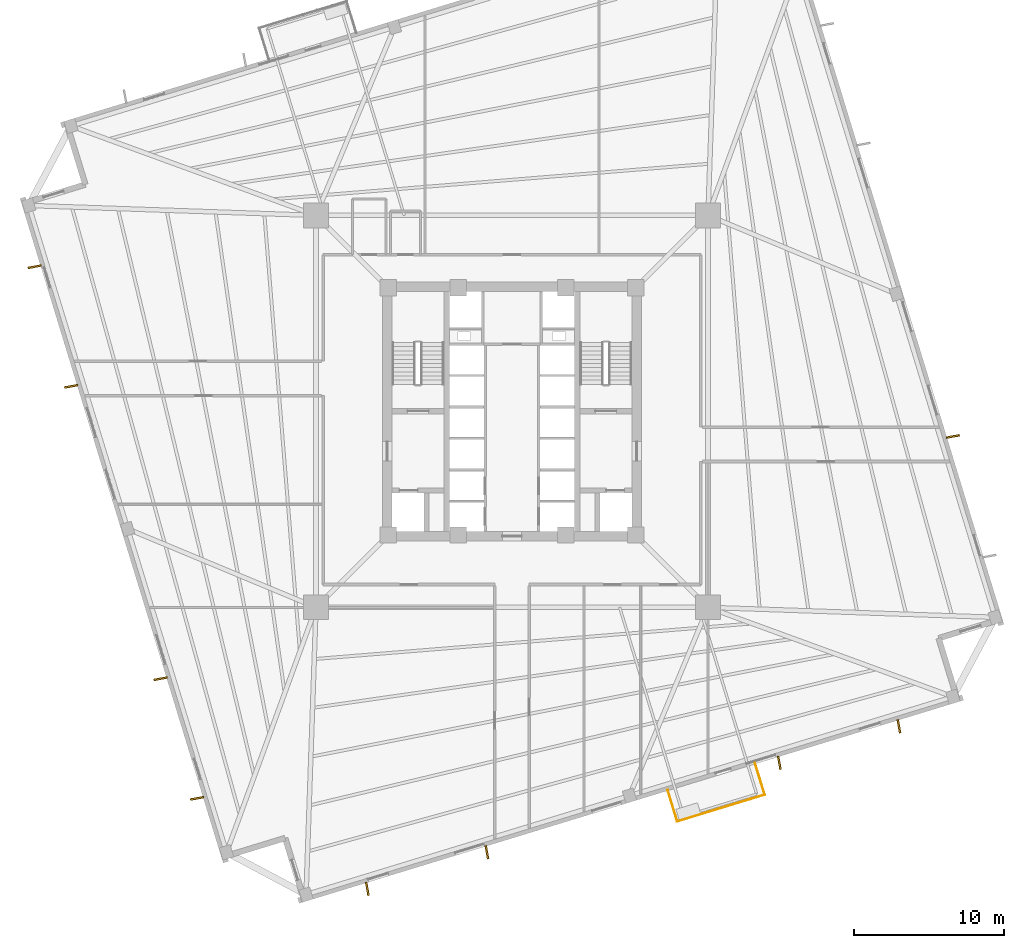
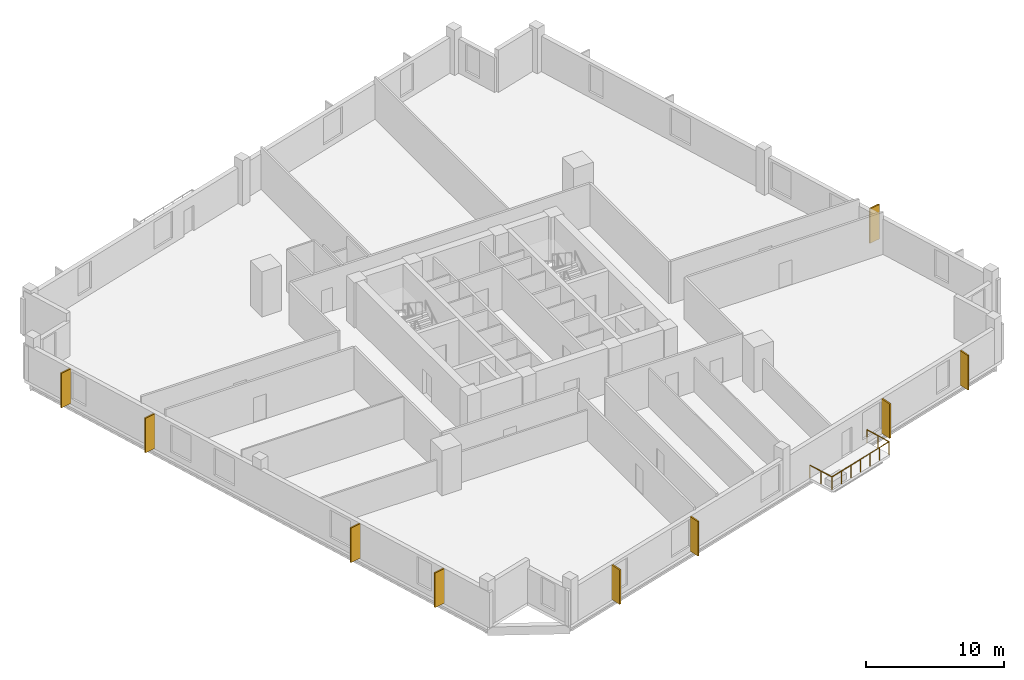
# One storey, part 6 of 8: 9 coverings, 3 railings.
"""IFC4 building model written with IfcOpenShell, lengths in metres."""

from ifc_helpers import new_model, si_unit, direction, frame, origin, origin_2d, place, context, subcontext, project, spatial, rectangle, circle, extrude, source, transform, mapped, material, layer, layer_set, type_object, element, save


model = new_model("IFC4")

# Units and contexts
model_context = context("Model", 3, precision=1e-05, world=origin(), true_north=direction((0.0, 1.0)))
body_context = subcontext(model_context, "Body", "Model", "MODEL_VIEW")
ifc_project = project(units=[si_unit("LENGTHUNIT", "METRE"), si_unit("AREAUNIT", "SQUARE_METRE"), si_unit("VOLUMEUNIT", "CUBIC_METRE"), si_unit("PLANEANGLEUNIT", "RADIAN"), si_unit("MASSUNIT", "GRAM", prefix="KILO"), si_unit("THERMODYNAMICTEMPERATUREUNIT", "KELVIN")], contexts=[model_context])

# Site, building, storey
site_placement = place(None, origin())
site = spatial("IfcSite", under=ifc_project, at=site_placement, CompositionType="ELEMENT")
building_placement = place(site_placement, origin())
building = spatial("IfcBuilding", under=site, at=building_placement, Name="Kosmvard Interchange Tower", CompositionType="ELEMENT")
storey_placement = place(building_placement, frame((0.0, 0.0, 111.199951171875)))
storey = spatial("IfcBuildingStorey", under=building, at=storey_placement, Name="L26", CompositionType="ELEMENT", Elevation=111.199951171875)

# Coverings
ifc_material_1 = material(Name="Architectural anodised aluminium", Category="aluminium")
ifc_layer = layer(ifc_material_1, 0.1201171875, Name="Architectural anodised aluminium")
ifc_layer_set = layer_set([ifc_layer], Name="Architectural anodised aluminium")
covering_type = type_object("IfcCoveringType", Name="Rotating Vertical Sun-Breaker Fin 900x120 Aluminium", PredefinedType="CLADDING", material=ifc_layer_set)
shared_shape_1 = source(origin(), body_context, "Body", "SweptSolid", [
    extrude(rectangle(XDim=0.89990234375, YDim=0.1201171875, at=origin_2d()), origin(), (0.0, 0.0, 1.0), 3.06005859375),
])
for number, where, z_axis, x_axis, name in (
    (1, (-9.6572265625, -31.865966796875, 0.0400390625), (0.0, 0.0, 1.0), (0.181549039717, -0.983381892338, 0.0), "L26 Rotating Vertical Sun-Breaker Fin 01"),
    (2, (-1.673583984375, -29.425048828125, 0.0400390625), (0.0, 0.0, 1.0), (0.181549039717, -0.983381892338, 0.0), "L26 Rotating Vertical Sun-Breaker Fin 02"),
    (3, (17.841796875, -23.45849609375, 0.0400390625), (0.0, 0.0, 1.0), (0.181549039717, -0.983381892338, 0.0), "L26 Rotating Vertical Sun-Breaker Fin 03"),
    (4, (25.825439453125, -21.017822265625, 0.0400390625), (0.0, 0.0, 1.0), (0.181549039717, -0.983381892338, 0.0), "L26 Rotating Vertical Sun-Breaker Fin 04"),
    (5, (29.425048828125, -1.673583984375, 0.0400390625), (0.0, 0.0, 1.0), (0.983381892338, 0.181549039717, 0.0), "L26 Rotating Vertical Sun-Breaker Fin 06"),
    (6, (-31.865966796875, 9.6572265625, 0.0400390625), (0.0, 0.0, 1.0), (-0.983381892338, -0.181549039717, 0.0), "L26 Rotating Vertical Sun-Breaker Fin 13"),
    (7, (-29.425048828125, 1.673583984375, 0.0400390625), (0.0, 0.0, 1.0), (-0.983381892338, -0.181549039717, 0.0), "L26 Rotating Vertical Sun-Breaker Fin 14"),
    (8, (-23.45849609375, -17.841796875, 0.0400390625), (0.0, 0.0, 1.0), (-0.983381892338, -0.181549039717, 0.0), "L26 Rotating Vertical Sun-Breaker Fin 15"),
    (9, (-21.017822265625, -25.825439453125, 0.0400390625), (0.0, 0.0, 1.0), (-0.983381892338, -0.181549039717, 0.0), "L26 Rotating Vertical Sun-Breaker Fin 16"),
):
    element("IfcCovering", number, at=place(storey_placement, frame(where, z_axis=z_axis, x_axis=x_axis)), inside=storey, type_object=covering_type, Name=name, PredefinedType="CLADDING", context=body_context, shape_type="MappedRepresentation", body=[
        mapped(shared_shape_1, transform((0.0, 0.0, 0.0), scale=1.0)),
    ])

# Railings
ifc_material_2 = material(Name="Steel S355", Category="steel")
railing_type = type_object("IfcRailingType", Name="Observation & Balcony Glass-Infill Balustrade 1150", PredefinedType="BALUSTRADE", material=ifc_material_2)
shared_shape_2 = source(origin(), body_context, "Body", "SweptSolid", [
    extrude(circle(Radius=0.02392578125, at=origin_2d()), frame((0.0, 0.0, 1.1259765625), z_axis=(0.292291835236, -0.956329170869, 0.0), x_axis=(0.956329170869, 0.292291835236, 0.0)), (0.0, 0.0, 1.0), 2.2001953125),
    extrude(circle(Radius=0.02099609375, at=origin_2d()), origin(), (0.0, 0.0, 1.0), 1.101806640625),
    extrude(circle(Radius=0.02099609375, at=origin_2d()), frame((0.321533203125, -1.052001953125, 0.0)), (0.0, 0.0, 1.0), 1.101806640625),
    extrude(circle(Radius=0.02099609375, at=origin_2d()), frame((0.64306640625, -2.10400390625, 0.0)), (0.0, 0.0, 1.0), 1.101806640625),
])
railing_1_placement = place(storey_placement, frame((10.39111328125, -25.265869140625, 0.0)))
element("IfcRailing", 10, at=railing_1_placement, inside=storey, type_object=railing_type, Name="L26 Outdoor Terrace Guard BAL-L26-SW-A", PredefinedType="BALUSTRADE", context=body_context, shape_type="MappedRepresentation", body=[
    mapped(shared_shape_2, transform((0.0, 0.0, 0.0), scale=1.0)),
])
shared_shape_3 = source(origin(), body_context, "Body", "SweptSolid", [
    extrude(circle(Radius=0.02392578125, at=origin_2d()), frame((0.0, 0.0, 1.1259765625), z_axis=(0.956306198406, 0.292366986664, 0.0), x_axis=(-0.292366986664, 0.956306198406, 0.0)), (0.0, 0.0, 1.0), 6.10009765625),
    extrude(circle(Radius=0.02099609375, at=origin_2d()), origin(), (0.0, 0.0, 1.0), 1.101806640625),
    extrude(circle(Radius=0.02099609375, at=origin_2d()), frame((0.97216796875, 0.29736328125, 0.0)), (0.0, 0.0, 1.0), 1.101806640625),
    extrude(circle(Radius=0.02099609375, at=origin_2d()), frame((1.944580078125, 0.594482421875, 0.0)), (0.0, 0.0, 1.0), 1.101806640625),
    extrude(circle(Radius=0.02099609375, at=origin_2d()), frame((2.916748046875, 0.8916015625, 0.0)), (0.0, 0.0, 1.0), 1.101806640625),
    extrude(circle(Radius=0.02099609375, at=origin_2d()), frame((3.888916015625, 1.18896484375, 0.0)), (0.0, 0.0, 1.0), 1.101806640625),
    extrude(circle(Radius=0.02099609375, at=origin_2d()), frame((4.861328125, 1.486328125, 0.0)), (0.0, 0.0, 1.0), 1.101806640625),
    extrude(circle(Radius=0.02099609375, at=origin_2d()), frame((5.83349609375, 1.783447265625, 0.0)), (0.0, 0.0, 1.0), 1.101806640625),
])
railing_2_placement = place(storey_placement, frame((11.0341796875, -27.369873046875, 0.0)))
element("IfcRailing", 11, at=railing_2_placement, inside=storey, type_object=railing_type, Name="L26 Outdoor Terrace Guard BAL-L26-SW-B", PredefinedType="BALUSTRADE", context=body_context, shape_type="MappedRepresentation", body=[
    mapped(shared_shape_3, transform((0.0, 0.0, 0.0), scale=1.0)),
])
shared_shape_4 = source(origin(), body_context, "Body", "SweptSolid", [
    extrude(circle(Radius=0.02392578125, at=origin_2d()), frame((0.0, 0.0, 1.1259765625), z_axis=(-0.292291835236, 0.956329170869, 0.0), x_axis=(-0.956329170869, -0.292291835236, 0.0)), (0.0, 0.0, 1.0), 2.2001953125),
    extrude(circle(Radius=0.02099609375, at=origin_2d()), origin(), (0.0, 0.0, 1.0), 1.101806640625),
    extrude(circle(Radius=0.02099609375, at=origin_2d()), frame((-0.321533203125, 1.052001953125, 0.0)), (0.0, 0.0, 1.0), 1.101806640625),
    extrude(circle(Radius=0.02099609375, at=origin_2d()), frame((-0.64306640625, 2.10400390625, 0.0)), (0.0, 0.0, 1.0), 1.101806640625),
])
railing_3_placement = place(storey_placement, frame((16.86767578125, -25.58642578125, 0.0)))
element("IfcRailing", 12, at=railing_3_placement, inside=storey, type_object=railing_type, Name="L26 Outdoor Terrace Guard BAL-L26-SW-C", PredefinedType="BALUSTRADE", context=body_context, shape_type="MappedRepresentation", body=[
    mapped(shared_shape_4, transform((0.0, 0.0, 0.0), scale=1.0)),
])

save(model, "model.ifc")
